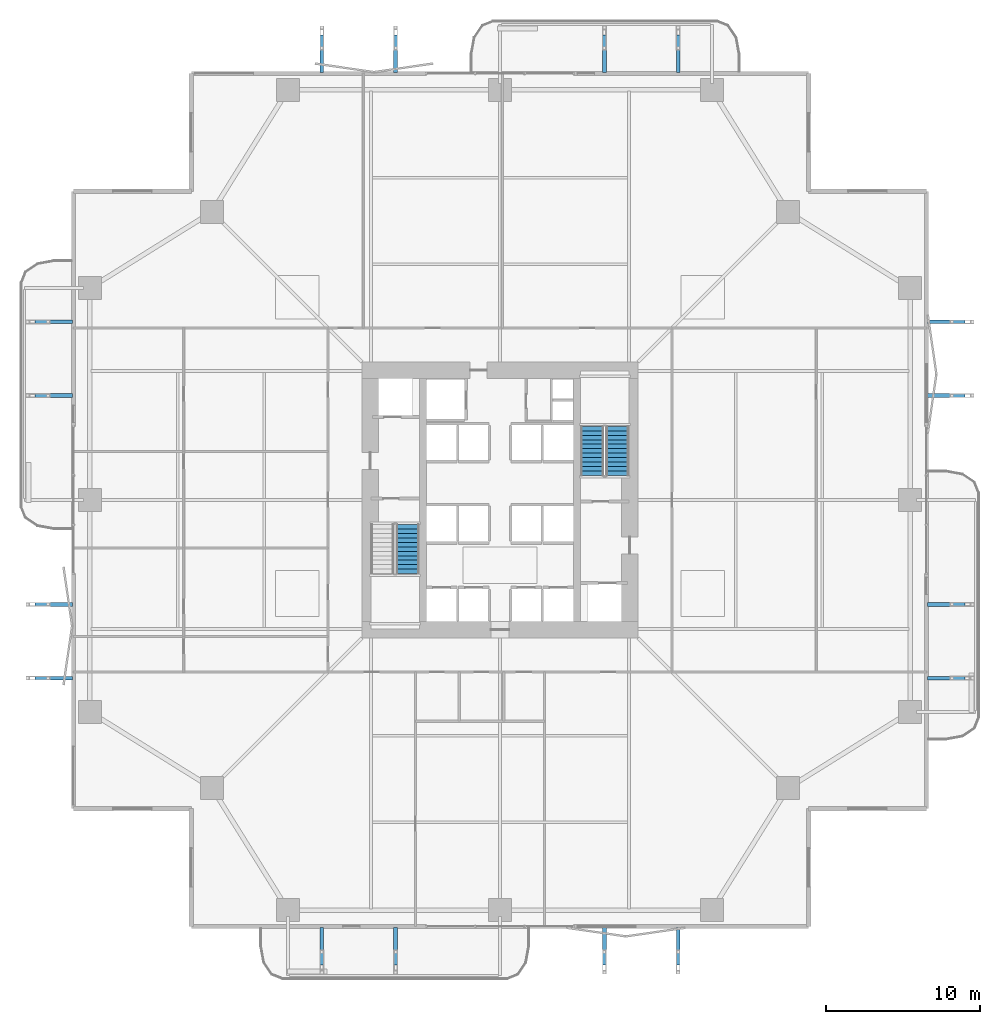
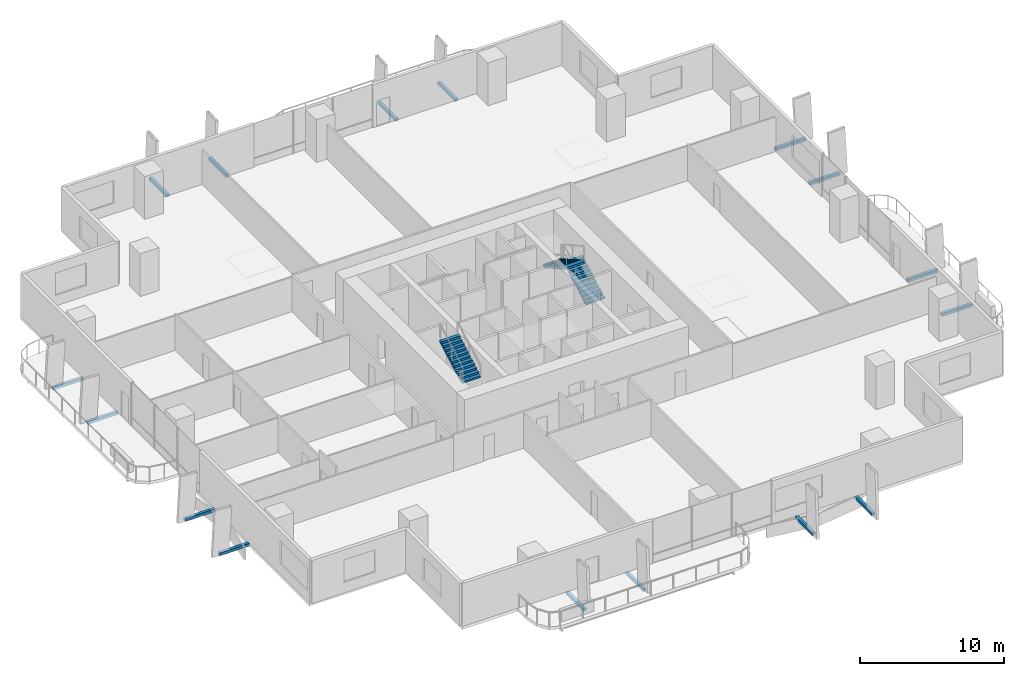
# One storey, part 20 of 23: 16 discrete accessories, 3 stair flights, 2 elements without a shape of their own.
"""IFC4 building model written with IfcOpenShell, lengths in metres."""

import ifcopenshell
import ifcopenshell.guid

model = None  # the IFC model being written
_history = None  # IfcOwnerHistory: only IFC2X3 demands one
_inside = {}  # id of a spatial element -> (the spatial element, [elements in it])
_under = {}  # id of a project, library or spatial element -> (it, [spatial elements below it])
_declared = {}  # id of a project -> (the project, [libraries it declares])
_typed = {}  # id of a type object -> (the type object, [elements of that type])
_made_of = {}  # id of a material, layer set ... -> (it, [elements and type objects made of it])


def new_model(schema):
    """Start an empty IFC model of exactly this schema.

    Asked for "IFC4X3", IfcOpenShell would pick the latest addendum, in which some entities
    have other attributes; the version numbers below select the first issue.
    IFC2X3 requires an IfcOwnerHistory on every rooted entity: one is made here for all.
    """
    global model, _history
    if schema == "IFC4X3":
        model = ifcopenshell.file(schema_version=(4, 3, 0, 0))
    else:
        model = ifcopenshell.file(schema=schema)
    _inside.clear()
    _under.clear()
    _declared.clear()
    _typed.clear()
    _made_of.clear()
    _history = None
    if model.schema == "IFC2X3":
        org = make("IfcOrganization", Name="unknown")
        user = make(
            "IfcPersonAndOrganization",
            ThePerson=make("IfcPerson", FamilyName="unknown"),
            TheOrganization=org,
        )
        app = make(
            "IfcApplication",
            ApplicationDeveloper=org,
            Version="unknown",
            ApplicationFullName="unknown",
            ApplicationIdentifier="unknown",
        )
        _history = make(
            "IfcOwnerHistory",
            OwningUser=user,
            OwningApplication=app,
            ChangeAction="ADDED",
            CreationDate=0,
        )
    return model


def make(cls, **values):
    """One entity of the class cls with the attributes given. An attribute that is None is left unset."""
    return model.create_entity(
        cls, **{name: value for name, value in values.items() if value is not None}
    )


def rooted(cls, **values):
    """An entity with a GlobalId (a new one), such as an element, a storey or a relation."""
    return make(cls, GlobalId=ifcopenshell.guid.new(), OwnerHistory=_history, **values)


def si_unit(unit_type, name, prefix=None):
    """IfcSIUnit, for example si_unit("LENGTHUNIT", "METRE", prefix="MILLI")."""
    return make("IfcSIUnit", UnitType=unit_type, Prefix=prefix, Name=name)


def assignment(units):
    """IfcUnitAssignment: the units of a project."""
    return None if units is None else make("IfcUnitAssignment", Units=units)


def point(xyz):
    """IfcCartesianPoint."""
    return None if xyz is None else make("IfcCartesianPoint", Coordinates=xyz)


def direction(xyz):
    """IfcDirection."""
    return None if xyz is None else make("IfcDirection", DirectionRatios=xyz)


def frame(location, z_axis=None, x_axis=None):
    """IfcAxis2Placement3D, a coordinate frame: its origin and axes. An axis left out is left unset."""
    return make(
        "IfcAxis2Placement3D",
        Location=point(location),
        Axis=direction(z_axis),
        RefDirection=direction(x_axis),
    )


def frame_2d(location, x_axis=None):
    """IfcAxis2Placement2D, a coordinate frame in the plane: its origin and x axis."""
    return make(
        "IfcAxis2Placement2D", Location=point(location), RefDirection=direction(x_axis)
    )


def origin():
    """The frame at (0, 0, 0) with its axes left unset."""
    return frame((0.0, 0.0, 0.0))


def origin_2d():
    """The frame at (0, 0) in the plane with its x axis left unset."""
    return frame_2d((0.0, 0.0))


def place(relative_to, where):
    """IfcLocalPlacement: puts the frame where relative to a parent placement (None: the world)."""
    return make(
        "IfcLocalPlacement", PlacementRelTo=relative_to, RelativePlacement=where
    )


def context(
    kind, dimensions, precision=None, world=None, true_north=None, identifier=None
):
    """IfcGeometricRepresentationContext, for example the 3D "Model" context."""
    return make(
        "IfcGeometricRepresentationContext",
        ContextIdentifier=identifier,
        ContextType=kind,
        CoordinateSpaceDimension=dimensions,
        Precision=precision,
        WorldCoordinateSystem=world,
        TrueNorth=true_north,
    )


def subcontext(parent, identifier, kind, view, scale=None):
    """IfcGeometricRepresentationSubContext, for example "Body" below "Model"."""
    return make(
        "IfcGeometricRepresentationSubContext",
        ContextIdentifier=identifier,
        ContextType=kind,
        ParentContext=parent,
        TargetScale=scale,
        TargetView=view,
    )


def project(units=None, contexts=None):
    """IfcProject with its units and contexts."""
    return rooted(
        "IfcProject",
        Name="project",
        RepresentationContexts=contexts,
        UnitsInContext=assignment(units),
    )


def spatial(cls, under=None, at=None, **own):
    """A site, building, storey or space (cls), placed at a placement, below another one or the project."""
    s = rooted(cls, ObjectPlacement=at, **own)
    if under is not None:
        _under.setdefault(under.id(), (under, []))[1].append(s)
    return s


def polyline(points):
    """IfcPolyline through the points."""
    return make("IfcPolyline", Points=[point(p) for p in points])


def profile(cls, at=None, kind="AREA", **sizes):
    """A parametric profile (cls). Its sizes go by their IFC names, for example OverallWidth=200.0."""
    return make(cls, ProfileType=kind, Position=at, **sizes)


def rectangle(**sizes):
    """IfcRectangleProfileDef."""
    return profile("IfcRectangleProfileDef", **sizes)


def outline(outer, holes=None, kind="AREA"):
    """IfcArbitraryClosedProfileDef: a profile drawn as a closed curve; with holes, ...WithVoids."""
    if holes is None:
        return make("IfcArbitraryClosedProfileDef", ProfileType=kind, OuterCurve=outer)
    return make(
        "IfcArbitraryProfileDefWithVoids",
        ProfileType=kind,
        OuterCurve=outer,
        InnerCurves=holes,
    )


def extrude(swept, where, along, depth):
    """IfcExtrudedAreaSolid: the profile swept, set in the frame where, extruded along a direction by depth."""
    return make(
        "IfcExtrudedAreaSolid",
        SweptArea=swept,
        Position=where,
        ExtrudedDirection=direction(along),
        Depth=depth,
    )


def shape(context_of_items, identifier, shape_type, items):
    """IfcShapeRepresentation: the items that make up one representation, for example the "Body"."""
    return make(
        "IfcShapeRepresentation",
        ContextOfItems=context_of_items,
        RepresentationIdentifier=identifier,
        RepresentationType=shape_type,
        Items=items,
    )


def material(Name=None, Category=None):
    """IfcMaterial."""
    return make("IfcMaterial", Name=Name, Category=Category)


def layer(
    of_material, thickness, ventilated=None, Name=None, Category=None, Priority=None
):
    """IfcMaterialLayer: one layer of a wall or slab, of a material (None: an air gap)."""
    return make(
        "IfcMaterialLayer",
        Material=of_material,
        LayerThickness=thickness,
        IsVentilated=ventilated,
        Name=Name,
        Category=Category,
        Priority=Priority,
    )


def layer_set(layers, Name=None):
    """IfcMaterialLayerSet."""
    return make("IfcMaterialLayerSet", MaterialLayers=layers, LayerSetName=Name)


def made_of(thing, what):
    """Note that an element or type object is made of a material, layer set ...; save() writes the relation."""
    if what is not None:
        _made_of.setdefault(what.id(), (what, []))[1].append(thing)
    return thing


def type_object(cls, material=None, **own):
    """A type object (cls), such as IfcWallType, which elements share."""
    return made_of(rooted(cls, **own), material)


def element(
    cls,
    number,
    at=None,
    inside=None,
    cuts=None,
    type_object=None,
    material=None,
    context=None,
    identifier="Body",
    shape_type=None,
    held_by="IfcProductDefinitionShape",
    body=None,
    shapes=None,
    **own,
):
    """One element of the class cls, such as IfcWall. Its Tag is "e" and its number.

    at: its placement. inside: the storey or other place that contains it. cuts: it is an
    opening in that element (IfcRelVoidsElement). A single representation is given by context,
    identifier, shape_type and body (its items); several are given by shapes. held_by: the class
    of the entity that holds the representations. save() writes the other relations.
    """
    e = rooted(cls, Tag="e%d" % number, ObjectPlacement=at, **own)
    if body is not None:
        shapes = [shape(context, identifier, shape_type, body)]
    if shapes is not None:
        e.Representation = make(held_by, Representations=shapes)
    if inside is not None:
        _inside.setdefault(inside.id(), (inside, []))[1].append(e)
    if cuts is not None:
        rooted(
            "IfcRelVoidsElement", RelatingBuildingElement=cuts, RelatedOpeningElement=e
        )
    if type_object is not None:
        _typed.setdefault(type_object.id(), (type_object, []))[1].append(e)
    return made_of(e, material)


def aggregate(whole, parts):
    """IfcRelAggregates: a whole, such as a stair, and the parts it consists of."""
    return rooted("IfcRelAggregates", RelatingObject=whole, RelatedObjects=parts)


def save(model, path):
    """Write the relations noted so far, then the file.

    IfcRelAggregates (storeys below a building ...), IfcRelContainedInSpatialStructure (elements
    in a storey), IfcRelDefinesByType, IfcRelAssociatesMaterial and IfcRelDeclares: one each for
    every whole, place, type object, material and project.
    """
    for whole, parts in _under.values():
        aggregate(whole, parts)
    for where, things in _inside.values():
        rooted(
            "IfcRelContainedInSpatialStructure",
            RelatedElements=things,
            RelatingStructure=where,
        )
    for kind, things in _typed.values():
        rooted("IfcRelDefinesByType", RelatedObjects=things, RelatingType=kind)
    for what, things in _made_of.values():
        rooted("IfcRelAssociatesMaterial", RelatedObjects=things, RelatingMaterial=what)
    for by, libraries in _declared.values():
        rooted("IfcRelDeclares", RelatingContext=by, RelatedDefinitions=libraries)
    model.write(path)


model = new_model("IFC4")

# Units and contexts
model_context = context("Model", 3, precision=1e-05, world=origin(), true_north=direction((0.0, 1.0)))
body_context = subcontext(model_context, "Body", "Model", "MODEL_VIEW")
ifc_project = project(units=[si_unit("LENGTHUNIT", "METRE"), si_unit("AREAUNIT", "SQUARE_METRE"), si_unit("VOLUMEUNIT", "CUBIC_METRE"), si_unit("PLANEANGLEUNIT", "RADIAN"), si_unit("MASSUNIT", "GRAM", prefix="KILO")], contexts=[model_context])

# Site, building, storey
site_placement = place(None, origin())
site = spatial("IfcSite", under=ifc_project, at=site_placement, CompositionType="ELEMENT")
building_placement = place(site_placement, origin())
building = spatial("IfcBuilding", under=site, at=building_placement, Name="Belovzor Exchange Tower", CompositionType="ELEMENT")
storey_placement = place(building_placement, frame((0.0, 0.0, 53.39990234375)))
storey = spatial("IfcBuildingStorey", under=building, at=storey_placement, Name="L12", CompositionType="ELEMENT", Elevation=53.39990234375)

# Stair, stair flight
ifc_material_1 = material(Name="Concrete C40/50", Category="concrete")
stair_type = type_object("IfcStairType", Name="Reinforced Concrete Dogleg Escape Stair 1350", PredefinedType="HALF_TURN_STAIR", material=ifc_material_1)
stair_1_placement = place(storey_placement, origin())
stair_1 = element("IfcStair", 1, at=stair_1_placement, inside=storey, type_object=stair_type, Name="L12 ST-1", PredefinedType="HALF_TURN_STAIR")
ifc_material_2 = material(Name="Concrete C40/50", Category="concrete")
stair_flight_type = type_object("IfcStairFlightType", Name="Reinforced Concrete Stair Flight 1350", PredefinedType="STRAIGHT", material=ifc_material_2)
stair_flight_1_placement = place(storey_placement, frame((22.800048828125, 24.010009765625, 1.9501953125), z_axis=(0.0, 0.0, 1.0), x_axis=(0.0, 1.0, 0.0)))
stair_flight_1 = element("IfcStairFlight", 2, at=stair_flight_1_placement, type_object=stair_flight_type, Name="ST-1 flight 2", NumberOfRisers=12, NumberOfTreads=11, PredefinedType="STRAIGHT", RiserHeight=0.1625, TreadLength=0.29, context=body_context, shape_type="SweptSolid", body=[
    extrude(outline(polyline([(0.0, 0.0), (0.0, 0.16259765625), (0.2900390625, 0.16259765625), (0.2900390625, 0.324951171875), (0.580078125, 0.324951171875), (0.580078125, 0.487548828125), (0.8701171875, 0.487548828125), (0.8701171875, 0.64990234375), (1.159912109375, 0.64990234375), (1.159912109375, 0.8125), (1.449951171875, 0.8125), (1.449951171875, 0.97509765625), (1.739990234375, 0.97509765625), (1.739990234375, 1.137451171875), (2.030029296875, 1.137451171875), (2.030029296875, 1.300048828125), (2.320068359375, 1.300048828125), (2.320068359375, 1.46240234375), (2.610107421875, 1.46240234375), (2.610107421875, 1.625), (2.89990234375, 1.625), (2.89990234375, 1.78759765625), (3.18994140625, 1.78759765625), (3.18994140625, 1.949951171875), (3.18994140625, 1.61572265625), (0.306640625, 0.0), (0.0, 0.0)])), frame((0.0, 0.75, 0.0), z_axis=(0.0, -1.0, 0.0), x_axis=(1.0, 0.0, 0.0)), (0.0, 0.0, 1.0), 1.5),
])
aggregate(stair_1, [stair_flight_1])

# Stair, stair flights
stair_2_placement = place(storey_placement, origin())
stair_2 = element("IfcStair", 3, at=stair_2_placement, inside=storey, type_object=stair_type, Name="L12 ST-2", PredefinedType="HALF_TURN_STAIR")
stair_flight_2_placement = place(storey_placement, frame((36.449951171875, 30.39990234375, 0.0), z_axis=(0.0, 0.0, 1.0), x_axis=(0.0, 1.0, 0.0)))
stair_flight_2 = element("IfcStairFlight", 4, at=stair_flight_2_placement, type_object=stair_flight_type, Name="ST-2 flight 1", NumberOfRisers=12, NumberOfTreads=11, PredefinedType="STRAIGHT", RiserHeight=0.1625, TreadLength=0.29, context=body_context, shape_type="SweptSolid", body=[
    extrude(outline(polyline([(0.0, 0.0), (0.0, 0.16259765625), (0.2900390625, 0.16259765625), (0.2900390625, 0.324951171875), (0.580078125, 0.324951171875), (0.580078125, 0.487548828125), (0.8701171875, 0.487548828125), (0.8701171875, 0.64990234375), (1.159912109375, 0.64990234375), (1.159912109375, 0.8125), (1.449951171875, 0.8125), (1.449951171875, 0.97509765625), (1.739990234375, 0.97509765625), (1.739990234375, 1.137451171875), (2.030029296875, 1.137451171875), (2.030029296875, 1.300048828125), (2.320068359375, 1.300048828125), (2.320068359375, 1.46240234375), (2.610107421875, 1.46240234375), (2.610107421875, 1.625), (2.89990234375, 1.625), (2.89990234375, 1.78759765625), (3.18994140625, 1.78759765625), (3.18994140625, 1.949951171875), (3.18994140625, 1.61572265625), (0.306640625, 0.0), (0.0, 0.0)])), frame((0.0, 0.75, 0.0), z_axis=(0.0, -1.0, 0.0), x_axis=(1.0, 0.0, 0.0)), (0.0, 0.0, 1.0), 1.5),
])
stair_flight_3_placement = place(storey_placement, frame((34.800048828125, 33.590087890625, 1.9501953125), z_axis=(0.0, 0.0, 1.0), x_axis=(0.0, -1.0, 0.0)))
stair_flight_3 = element("IfcStairFlight", 5, at=stair_flight_3_placement, type_object=stair_flight_type, Name="ST-2 flight 2", NumberOfRisers=12, NumberOfTreads=11, PredefinedType="STRAIGHT", RiserHeight=0.1625, TreadLength=0.29, context=body_context, shape_type="SweptSolid", body=[
    extrude(outline(polyline([(0.0, 0.0), (0.0, 0.16259765625), (0.2900390625, 0.16259765625), (0.2900390625, 0.324951171875), (0.580078125, 0.324951171875), (0.580078125, 0.487548828125), (0.8701171875, 0.487548828125), (0.8701171875, 0.64990234375), (1.159912109375, 0.64990234375), (1.159912109375, 0.8125), (1.449951171875, 0.8125), (1.449951171875, 0.97509765625), (1.739990234375, 0.97509765625), (1.739990234375, 1.137451171875), (2.030029296875, 1.137451171875), (2.030029296875, 1.300048828125), (2.320068359375, 1.300048828125), (2.320068359375, 1.46240234375), (2.610107421875, 1.46240234375), (2.610107421875, 1.625), (2.89990234375, 1.625), (2.89990234375, 1.78759765625), (3.18994140625, 1.78759765625), (3.18994140625, 1.949951171875), (3.18994140625, 1.61572265625), (0.306640625, 0.0), (0.0, 0.0)])), frame((0.0, 0.75, 0.0), z_axis=(0.0, -1.0, 0.0), x_axis=(1.0, 0.0, 0.0)), (0.0, 0.0, 1.0), 1.5),
])
aggregate(stair_2, [stair_flight_2, stair_flight_3])

# Discrete accessories
ifc_material_3 = material(Name="Stainless Steel Grade 316", Category="steel")
ifc_layer = layer(ifc_material_3, 0.179931640625)
ifc_layer_set = layer_set([ifc_layer], Name="Stainless Steel Grade 316")
discrete_accessory_type = type_object("IfcDiscreteAccessoryType", Name="Stainless Steel Facade Outrigger Fixing Bracket", PredefinedType="BRACKET", material=ifc_layer_set)
for number, where, z_axis, x_axis, name in (
    (6, (17.199951171875, -0.239990234375, -0.2451171875), (0.0, 0.0, 1.0), (0.0, 1.0, 0.0), "BRK-FIN1 Sweeping Fin Outrigger Bracket L12 S1"),
    (7, (17.199951171875, 57.840087890625, -0.2451171875), (0.0, 0.0, 1.0), (0.0, 1.0, 0.0), "BRK-FIN1 Sweeping Fin Outrigger Bracket L12 N1"),
    (8, (-0.239990234375, 17.199951171875, -0.2451171875), (0.0, 0.0, 1.0), (1.0, 0.0, 0.0), "BRK-FIN1 Sweeping Fin Outrigger Bracket L12 W1"),
    (9, (57.840087890625, 17.199951171875, -0.2451171875), (0.0, 0.0, 1.0), (1.0, 0.0, 0.0), "BRK-FIN1 Sweeping Fin Outrigger Bracket L12 E1"),
    (10, (22.0, -0.239990234375, -0.2451171875), (0.0, 0.0, 1.0), (0.0, 1.0, 0.0), "BRK-FIN1 Sweeping Fin Outrigger Bracket L12 S2"),
    (11, (22.0, 57.840087890625, -0.2451171875), (0.0, 0.0, 1.0), (0.0, 1.0, 0.0), "BRK-FIN1 Sweeping Fin Outrigger Bracket L12 N2"),
    (12, (-0.239990234375, 22.0, -0.2451171875), (0.0, 0.0, 1.0), (1.0, 0.0, 0.0), "BRK-FIN1 Sweeping Fin Outrigger Bracket L12 W2"),
    (13, (57.840087890625, 22.0, -0.2451171875), (0.0, 0.0, 1.0), (1.0, 0.0, 0.0), "BRK-FIN1 Sweeping Fin Outrigger Bracket L12 E2"),
    (14, (35.60009765625, -0.239990234375, -0.2451171875), (0.0, 0.0, 1.0), (0.0, 1.0, 0.0), "BRK-FIN1 Sweeping Fin Outrigger Bracket L12 S3"),
    (15, (35.60009765625, 57.840087890625, -0.2451171875), (0.0, 0.0, 1.0), (0.0, 1.0, 0.0), "BRK-FIN1 Sweeping Fin Outrigger Bracket L12 N3"),
    (16, (-0.239990234375, 35.60009765625, -0.2451171875), (0.0, 0.0, 1.0), (1.0, 0.0, 0.0), "BRK-FIN1 Sweeping Fin Outrigger Bracket L12 W3"),
    (17, (57.840087890625, 35.60009765625, -0.2451171875), (0.0, 0.0, 1.0), (1.0, 0.0, 0.0), "BRK-FIN1 Sweeping Fin Outrigger Bracket L12 E3"),
    (18, (40.39990234375, -0.239990234375, -0.2451171875), (0.0, 0.0, 1.0), (0.0, 1.0, 0.0), "BRK-FIN1 Sweeping Fin Outrigger Bracket L12 S4"),
    (19, (40.39990234375, 57.840087890625, -0.2451171875), (0.0, 0.0, 1.0), (0.0, 1.0, 0.0), "BRK-FIN1 Sweeping Fin Outrigger Bracket L12 N4"),
    (20, (-0.239990234375, 40.39990234375, -0.2451171875), (0.0, 0.0, 1.0), (1.0, 0.0, 0.0), "BRK-FIN1 Sweeping Fin Outrigger Bracket L12 W4"),
    (21, (57.840087890625, 40.39990234375, -0.2451171875), (0.0, 0.0, 1.0), (1.0, 0.0, 0.0), "BRK-FIN1 Sweeping Fin Outrigger Bracket L12 E4"),
):
    element("IfcDiscreteAccessory", number, at=place(storey_placement, frame(where, z_axis=z_axis, x_axis=x_axis)), inside=storey, type_object=discrete_accessory_type, Name=name, PredefinedType="BRACKET", context=body_context, shape_type="SweptSolid", body=[
        extrude(rectangle(XDim=2.43896484375, YDim=0.239990234375, at=origin_2d()), origin(), (0.0, 0.0, 1.0), 0.239990234375),
    ])

save(model, "model.ifc")
